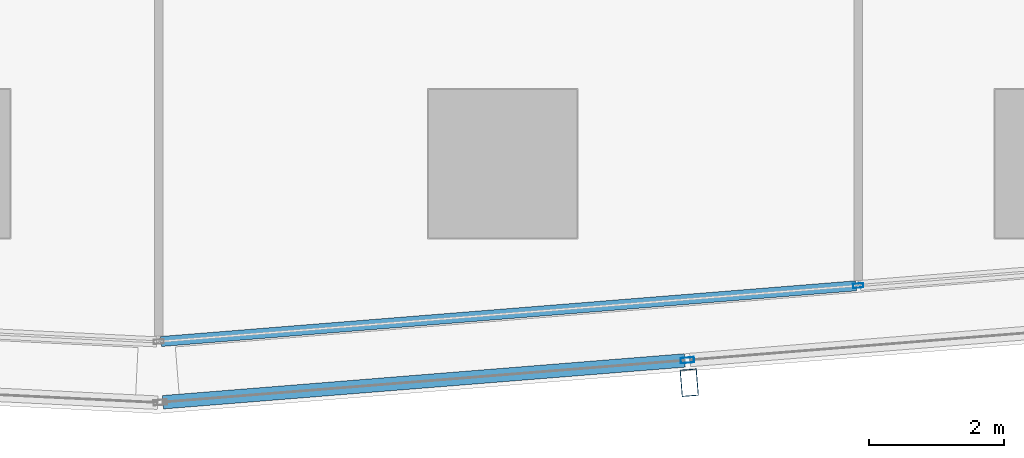
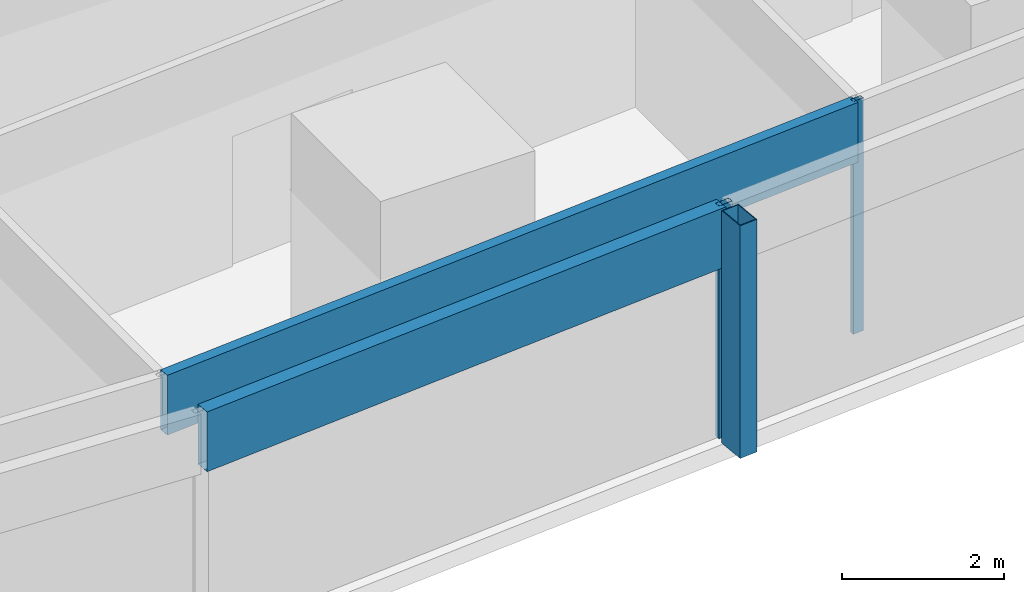
# One storey, part 10 of 44: 5 members, 2 elements without a shape of their own.
"""IFC4 building model written with IfcOpenShell, lengths in metres."""

from ifc_helpers import new_model, si_unit, direction, frame, origin, origin_2d, place, context, subcontext, project, spatial, hollow_rectangle, extrude, material, material_profile, profile_set, type_object, element, aggregate, save


model = new_model("IFC4")

# Units and contexts
model_context = context("Model", 3, precision=1e-05, world=origin(), true_north=direction((0.0, 1.0)))
body_context = subcontext(model_context, "Body", "Model", "MODEL_VIEW")
ifc_project = project(units=[si_unit("LENGTHUNIT", "METRE"), si_unit("AREAUNIT", "SQUARE_METRE"), si_unit("VOLUMEUNIT", "CUBIC_METRE"), si_unit("PLANEANGLEUNIT", "RADIAN"), si_unit("MASSUNIT", "GRAM", prefix="KILO")], contexts=[model_context])

# Site, building, storey
site_placement = place(None, origin())
site = spatial("IfcSite", under=ifc_project, at=site_placement, CompositionType="ELEMENT")
building_placement = place(site_placement, origin())
building = spatial("IfcBuilding", under=site, at=building_placement, Name="Rekha Terrace Tower", CompositionType="ELEMENT")
storey_placement = place(building_placement, frame((0.0, 0.0, 66.64990234375)))
storey = spatial("IfcBuildingStorey", under=building, at=storey_placement, Name="L16", CompositionType="ELEMENT", Elevation=66.64990234375)

# Curtain wall, member
ifc_material_1 = material(Name="Aluminium framing", Category="aluminium")
curtain_wall_type_1 = type_object("IfcCurtainWallType", Name="CW2 double skin outer glazing", PredefinedType="USERDEFINED", material=ifc_material_1)
curtain_wall_1_placement = place(storey_placement, origin())
curtain_wall_1 = element("IfcCurtainWall", 1, at=curtain_wall_1_placement, inside=storey, type_object=curtain_wall_type_1, Name="CW2 double skin outer glazing", ObjectType="DOUBLE SKIN OUTER GLAZING", PredefinedType="USERDEFINED")
ifc_material_2 = material(Name="Steel S355 with fluorocarbon finish", Category="steel")
ifc_material_profile_1 = material_profile(ifc_material_2, hollow_rectangle(XDim=0.25, YDim=0.39990234375, WallThickness=0.012451171875, at=origin_2d()), Name="RHS400x250x12.5")
ifc_profile_set_1 = profile_set([ifc_material_profile_1], Name="Steel S355 with fluorocarbon finish")
member_type_1 = type_object("IfcMemberType", Name="BL1 facade blade RHS 400 x 250", PredefinedType="USERDEFINED", material=ifc_profile_set_1)
member_1_placement = place(storey_placement, frame((53.16748046875, 5.15576171875, 0.0), z_axis=(0.0, 0.0, 1.0), x_axis=(0.996805139821, 0.079871855039, 0.0)))
member_1 = element("IfcMember", 2, at=member_1_placement, type_object=member_type_1, Name="Facade blade", ObjectType="FACADE BLADE", PredefinedType="USERDEFINED", context=body_context, shape_type="SweptSolid", body=[
    extrude(hollow_rectangle(XDim=0.25, YDim=0.39990234375, WallThickness=0.012451171875, at=origin_2d()), origin(), (0.0, 0.0, 1.0), 3.5),
])

# Curtain wall, members
curtain_wall_type_2 = type_object("IfcCurtainWallType", Name="CW1 double skin inner glazing", PredefinedType="USERDEFINED", material=ifc_material_1)
curtain_wall_2_placement = place(storey_placement, origin())
curtain_wall_2 = element("IfcCurtainWall", 3, at=curtain_wall_2_placement, inside=storey, type_object=curtain_wall_type_2, Name="CW1 double skin inner glazing", ObjectType="DOUBLE SKIN INNER GLAZING", PredefinedType="USERDEFINED")
ifc_material_3 = material(Name="Aluminium mullion section", Category="aluminium")
ifc_material_profile_2 = material_profile(ifc_material_3, hollow_rectangle(XDim=0.06494140625, YDim=0.14990234375, WallThickness=0.00390625, at=origin_2d()), Name="AL RHS 65x150")
ifc_profile_set_2 = profile_set([ifc_material_profile_2], Name="Aluminium mullion section")
member_type_2 = type_object("IfcMemberType", Name="CW1 mullion RHS 65 x 150", PredefinedType="MULLION", material=ifc_profile_set_2)
member_2_placement = place(storey_placement, frame((55.672119140625, 6.595458984375, 0.0), z_axis=(0.0, 0.0, 1.0), x_axis=(-0.079872204468, 0.996805111821, 0.0)))
member_2 = element("IfcMember", 4, at=member_2_placement, type_object=member_type_2, Name="CW1 mullion 2", PredefinedType="MULLION", context=body_context, shape_type="SweptSolid", body=[
    extrude(hollow_rectangle(XDim=0.06494140625, YDim=0.14990234375, WallThickness=0.00390625, at=origin_2d()), origin(), (0.0, 0.0, 1.0), 3.5),
])
ifc_material_4 = material(Name="Insulated aluminium spandrel box", Category="aluminium")
ifc_material_profile_3 = material_profile(ifc_material_4, hollow_rectangle(XDim=0.14990234375, YDim=0.89990234375, WallThickness=0.0029296875, at=origin_2d()), Name="AL SPANDREL BOX 150x900")
ifc_profile_set_3 = profile_set([ifc_material_profile_3], Name="Insulated aluminium spandrel box")
member_type_3 = type_object("IfcMemberType", Name="CW1 spandrel transom 150 x 900", PredefinedType="USERDEFINED", material=ifc_profile_set_3)
member_3_placement = place(storey_placement, frame((45.33642578125, 5.767333984375, 3.050048828125), z_axis=(0.996806184606, 0.079858814989, 0.0), x_axis=(-0.079858814989, 0.996806184606, 0.0)))
member_3 = element("IfcMember", 5, at=member_3_placement, type_object=member_type_3, Name="CW1 spandrel transom 1", ObjectType="TRANSOM", PredefinedType="USERDEFINED", context=body_context, shape_type="SweptSolid", body=[
    extrude(hollow_rectangle(XDim=0.14990234375, YDim=0.89990234375, WallThickness=0.0029296875, at=origin_2d()), origin(), (0.0, 0.0, 1.0), 10.336181640625),
])
aggregate(curtain_wall_2, [member_2, member_3])

# Member
ifc_material_profile_4 = material_profile(ifc_material_3, hollow_rectangle(XDim=0.080078125, YDim=0.199951171875, WallThickness=0.00390625, at=origin_2d()), Name="AL RHS 80x200")
ifc_profile_set_4 = profile_set([ifc_material_profile_4], Name="Aluminium mullion section")
member_type_4 = type_object("IfcMemberType", Name="CW2 mullion RHS 80 x 200", PredefinedType="MULLION", material=ifc_profile_set_4)
member_4_placement = place(storey_placement, frame((53.140869140625, 5.48974609375, 0.0), z_axis=(0.0, 0.0, 1.0), x_axis=(-0.079872204468, 0.996805111821, 0.0)))
member_4 = element("IfcMember", 6, at=member_4_placement, type_object=member_type_4, Name="CW2 mullion 2", PredefinedType="MULLION", context=body_context, shape_type="SweptSolid", body=[
    extrude(hollow_rectangle(XDim=0.080078125, YDim=0.199951171875, WallThickness=0.00390625, at=origin_2d()), origin(), (0.0, 0.0, 1.0), 3.5),
])

ifc_material_profile_5 = material_profile(ifc_material_4, hollow_rectangle(XDim=0.199951171875, YDim=0.89990234375, WallThickness=0.0029296875, at=origin_2d()), Name="AL SPANDREL BOX 200x900")
ifc_profile_set_5 = profile_set([ifc_material_profile_5], Name="Insulated aluminium spandrel box")
member_type_5 = type_object("IfcMemberType", Name="CW2 spandrel transom 200 x 900", PredefinedType="USERDEFINED", material=ifc_profile_set_5)
member_5_placement = place(storey_placement, frame((45.365234375, 4.86669921875, 3.050048828125), z_axis=(0.996804766607, 0.079876512622, 0.0), x_axis=(-0.079876512622, 0.996804766607, 0.0)))
member_5 = element("IfcMember", 7, at=member_5_placement, type_object=member_type_5, Name="CW2 spandrel transom 1", ObjectType="TRANSOM", PredefinedType="USERDEFINED", context=body_context, shape_type="SweptSolid", body=[
    extrude(hollow_rectangle(XDim=0.199951171875, YDim=0.89990234375, WallThickness=0.0029296875, at=origin_2d()), origin(), (0.0, 0.0, 1.0), 7.760498046875),
])

aggregate(curtain_wall_1, [member_4, member_5, member_1])

save(model, "model.ifc")
